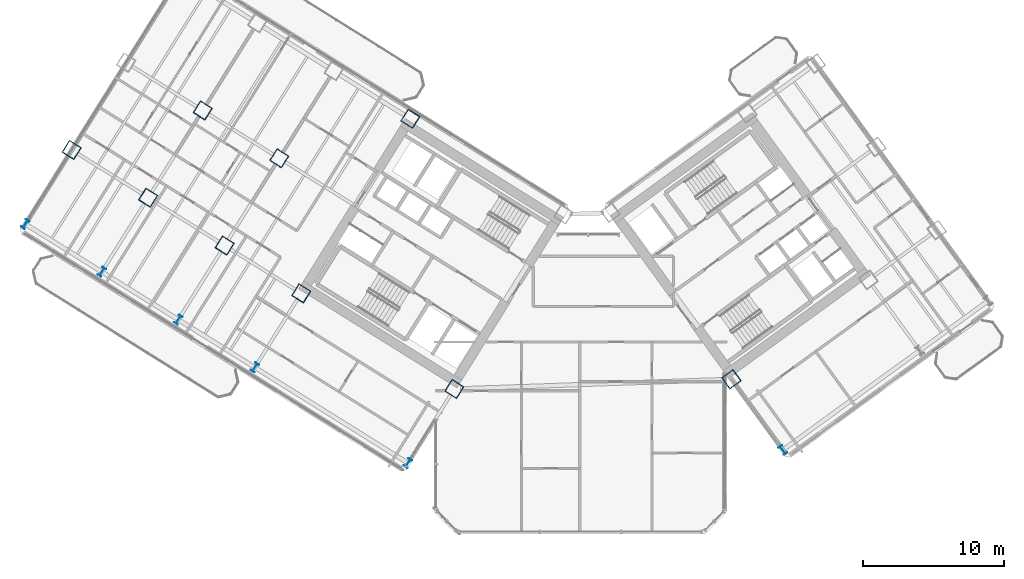
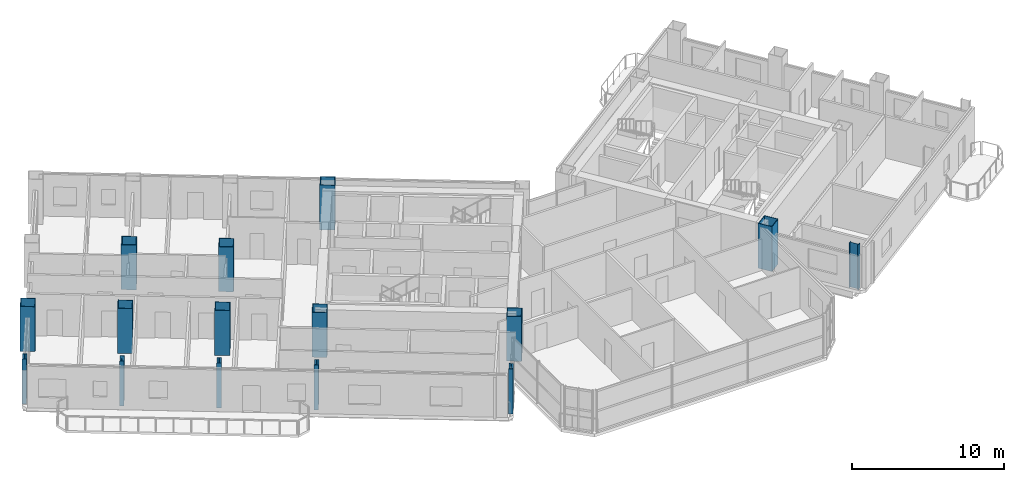
# One storey, part 1 of 28: 15 columns.
"""IFC4 building model written with IfcOpenShell, lengths in metres."""

from ifc_helpers import new_model, si_unit, direction, frame, origin, origin_2d, place, context, subcontext, project, spatial, hollow_rectangle, i_section, extrude, source, transform, mapped, material, material_profile, profile_set, type_object, element, save


model = new_model("IFC4")

# Units and contexts
model_context = context("Model", 3, precision=1e-05, world=origin(), true_north=direction((0.0, 1.0)))
body_context = subcontext(model_context, "Body", "Model", "MODEL_VIEW")
ifc_project = project(units=[si_unit("LENGTHUNIT", "METRE"), si_unit("AREAUNIT", "SQUARE_METRE"), si_unit("VOLUMEUNIT", "CUBIC_METRE"), si_unit("PLANEANGLEUNIT", "RADIAN"), si_unit("MASSUNIT", "GRAM", prefix="KILO")], contexts=[model_context])

# Site, building, storey
site_placement = place(None, origin())
site = spatial("IfcSite", under=ifc_project, at=site_placement, CompositionType="ELEMENT")
building_placement = place(site_placement, origin())
building = spatial("IfcBuilding", under=site, at=building_placement, Name="Tlacorven Tower", CompositionType="ELEMENT")
storey_placement = place(building_placement, frame((0.0, 0.0, 56.39990234375)))
storey = spatial("IfcBuildingStorey", under=building, at=storey_placement, Name="L14", CompositionType="ELEMENT", Elevation=56.39990234375)

# Columns
ifc_material = material(Name="Steel S460M", Category="steel")
ifc_material_profile_1 = material_profile(ifc_material, hollow_rectangle(XDim=1.0, YDim=1.0, WallThickness=0.0400390625, at=origin_2d()), Name="BOX 1000X1000X40")
ifc_profile_set_1 = profile_set([ifc_material_profile_1], Name="Steel S460M")
column_type_1 = type_object("IfcColumnType", Name="COL-TWR-S1", PredefinedType="COLUMN", material=ifc_profile_set_1)
shared_shape_1 = source(origin(), body_context, "Body", "SweptSolid", [
    extrude(hollow_rectangle(XDim=1.0, YDim=1.0, WallThickness=0.0400390625, at=origin_2d()), origin(), (0.0, 0.0, 1.0), 3.60009765625),
])
for number, where, z_axis, x_axis, name in (
    (1, (33.046142578125, 12.0869140625, 0.0), (0.0, 0.0, 1.0), (-0.848048096156, 0.529919264233, 0.0), "L14 column COL-L14-W1-3"),
    (2, (29.927978515625, 31.25146484375, 0.0), (0.0, 0.0, 1.0), (-0.848048096156, 0.529919264233, 0.0), "L14 column COL-L14-W3-1"),
    (3, (22.191162109375, 18.869873046875, 0.0), (0.0, 0.0, 1.0), (-0.848048096156, 0.529919264233, 0.0), "L14 column COL-L14-W3-3"),
    (4, (20.632080078125, 28.4521484375, 0.0), (0.0, 0.0, 1.0), (-0.848048096156, 0.529919264233, 0.0), "L14 column COL-L14-W4-2"),
    (5, (16.763671875, 22.26123046875, 0.0), (0.0, 0.0, 1.0), (-0.848048096156, 0.529919264233, 0.0), "L14 column COL-L14-W4-3"),
    (6, (15.20458984375, 31.843505859375, 0.0), (0.0, 0.0, 1.0), (-0.848048096156, 0.529919264233, 0.0), "L14 column COL-L14-W5-2"),
    (7, (11.336181640625, 25.65283203125, 0.0), (0.0, 0.0, 1.0), (-0.848048096156, 0.529919264233, 0.0), "L14 column COL-L14-W5-3"),
    (8, (5.90869140625, 29.044189453125, 0.0), (0.0, 0.0, 1.0), (-0.848048096156, 0.529919264233, 0.0), "L14 column COL-L14-W6-3"),
    (9, (52.705322265625, 12.7734375, 0.0), (0.0, 0.0, 1.0), (0.809016994375, 0.587785252292, 0.0), "L14 column COL-L14-E1-2"),
):
    element("IfcColumn", number, at=place(storey_placement, frame(where, z_axis=z_axis, x_axis=x_axis)), inside=storey, type_object=column_type_1, Name=name, PredefinedType="COLUMN", context=body_context, shape_type="MappedRepresentation", body=[
        mapped(shared_shape_1, transform((0.0, 0.0, 0.0), scale=1.0)),
    ])
ifc_material_profile_2 = material_profile(ifc_material, i_section(OverallWidth=0.300048828125, OverallDepth=0.64990234375, WebThickness=0.01611328125, FlangeThickness=0.031005859375, at=origin_2d()), Name="HEB 650")
ifc_profile_set_2 = profile_set([ifc_material_profile_2], Name="Steel S460M")
column_type_2 = type_object("IfcColumnType", Name="COL-TWR-P1", PredefinedType="COLUMN", material=ifc_profile_set_2)
shared_shape_2 = source(origin(), body_context, "Body", "SweptSolid", [
    extrude(i_section(OverallWidth=0.300048828125, OverallDepth=0.64990234375, WebThickness=0.01611328125, FlangeThickness=0.031005859375, at=origin_2d()), origin(), (0.0, 0.0, 1.0), 3.60009765625),
])
for number, where, z_axis, x_axis, name in (
    (10, (29.7607421875, 6.8291015625, 0.0), (0.0, 0.0, 1.0), (-0.848048096156, 0.529919264233, 0.0), "L14 column COL-L14-W1-4"),
    (11, (18.905517578125, 13.612060546875, 0.0), (0.0, 0.0, 1.0), (-0.848048096156, 0.529919264233, 0.0), "L14 column COL-L14-W3-4"),
    (12, (13.47802734375, 17.00341796875, 0.0), (0.0, 0.0, 1.0), (-0.848048096156, 0.529919264233, 0.0), "L14 column COL-L14-W4-4"),
    (13, (8.050537109375, 20.39501953125, 0.0), (0.0, 0.0, 1.0), (-0.848048096156, 0.529919264233, 0.0), "L14 column COL-L14-W5-4"),
    (14, (2.623046875, 23.786376953125, 0.0), (0.0, 0.0, 1.0), (-0.848048096156, 0.529919264233, 0.0), "L14 column COL-L14-W6-4"),
    (15, (56.349609375, 7.757568359375, 0.0), (0.0, 0.0, 1.0), (0.809016994375, 0.587785252292, 0.0), "L14 column COL-L14-E1-1"),
):
    element("IfcColumn", number, at=place(storey_placement, frame(where, z_axis=z_axis, x_axis=x_axis)), inside=storey, type_object=column_type_2, Name=name, PredefinedType="COLUMN", context=body_context, shape_type="MappedRepresentation", body=[
        mapped(shared_shape_2, transform((0.0, 0.0, 0.0), scale=1.0)),
    ])

save(model, "model.ifc")
